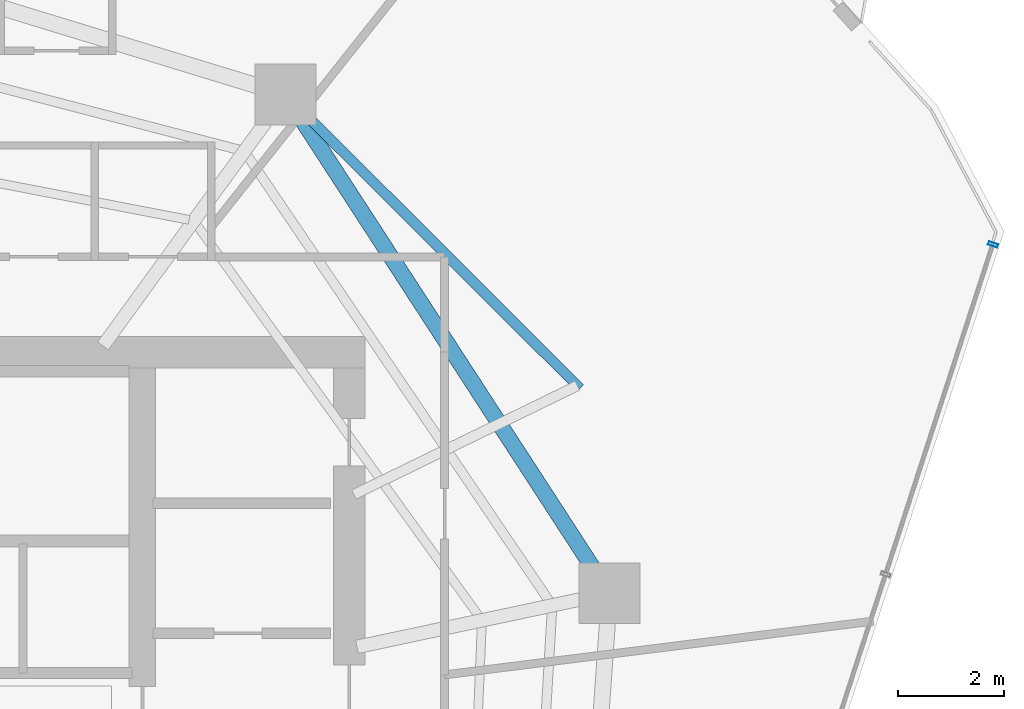
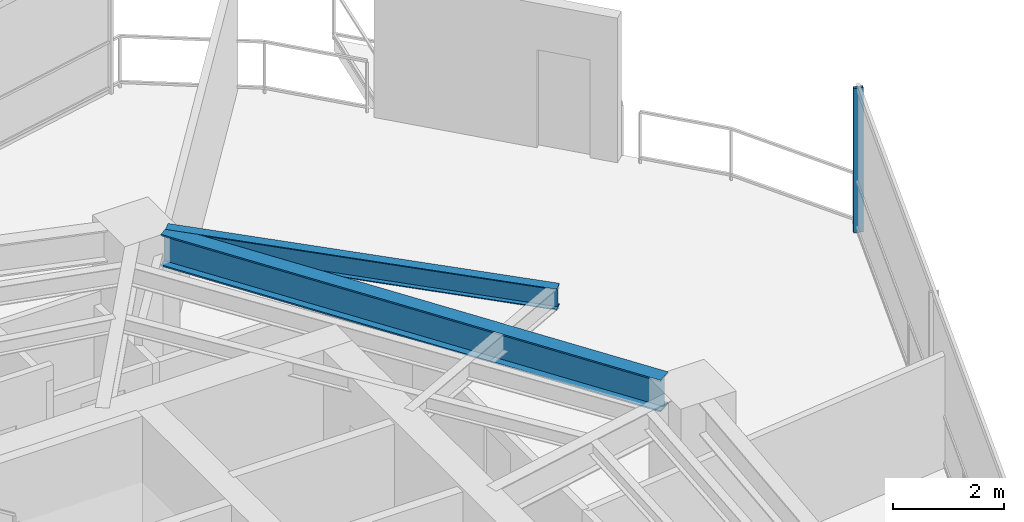
# One storey, part 20 of 27: 2 beams, 1 member, 1 element without a shape of its own.
"""IFC4 building model written with IfcOpenShell, lengths in metres."""

from ifc_helpers import new_model, si_unit, direction, frame, origin, origin_2d, place, context, subcontext, project, spatial, hollow_rectangle, i_section, extrude, material, layer, layer_set, material_profile, profile_set, type_object, element, aggregate, save


model = new_model("IFC4")

# Units and contexts
model_context = context("Model", 3, precision=1e-05, world=origin(), true_north=direction((0.0, 1.0)))
body_context = subcontext(model_context, "Body", "Model", "MODEL_VIEW")
ifc_project = project(units=[si_unit("LENGTHUNIT", "METRE"), si_unit("AREAUNIT", "SQUARE_METRE"), si_unit("VOLUMEUNIT", "CUBIC_METRE"), si_unit("PLANEANGLEUNIT", "RADIAN"), si_unit("MASSUNIT", "GRAM", prefix="KILO")], contexts=[model_context])

# Site, building, storey
site_placement = place(None, origin())
site = spatial("IfcSite", under=ifc_project, at=site_placement, CompositionType="ELEMENT")
building_placement = place(site_placement, origin())
building = spatial("IfcBuilding", under=site, at=building_placement, Name="Qarnah Convention Tower", CompositionType="ELEMENT")
storey_placement = place(building_placement, frame((0.0, 0.0, 110.85009765625)))
storey = spatial("IfcBuildingStorey", under=building, at=storey_placement, Name="L29", CompositionType="ELEMENT", Elevation=110.85009765625)

# Beams
ifc_material_1 = material(Name="Structural steel S355JR", Category="steel")
ifc_material_profile_1 = material_profile(ifc_material_1, i_section(OverallWidth=0.19189453125, OverallDepth=0.464111328125, WebThickness=0.010986328125, FlangeThickness=0.01806640625, at=origin_2d()), Name="W460X89")
ifc_profile_set_1 = profile_set([ifc_material_profile_1], Name="Structural steel S355JR")
beam_type_1 = type_object("IfcBeamType", Name="BM-CANT-W460A", PredefinedType="BEAM", material=ifc_profile_set_1)
beam_1_placement = place(storey_placement, frame((51.952880859375, 33.52099609375, 2.93798828125), z_axis=(-0.707978220507, 0.706234266577, 0.0), x_axis=(-0.706234266577, -0.707978220507, 0.0)))
element("IfcBeam", 1, at=beam_1_placement, inside=storey, type_object=beam_type_1, Name="L29 spandrel BM-L29-CTIE-01", PredefinedType="SPANDREL", context=body_context, shape_type="SweptSolid", body=[
    extrude(i_section(OverallWidth=0.19189453125, OverallDepth=0.464111328125, WebThickness=0.010986328125, FlangeThickness=0.01806640625, at=origin_2d()), origin(), (0.0, 0.0, 1.0), 7.279541015625),
])
ifc_material_profile_2 = material_profile(ifc_material_1, i_section(OverallWidth=0.300048828125, OverallDepth=0.699951171875, WebThickness=0.01708984375, FlangeThickness=0.031982421875, at=origin_2d()), Name="HEB700")
ifc_profile_set_2 = profile_set([ifc_material_profile_2], Name="Structural steel S355JR")
beam_type_2 = type_object("IfcBeamType", Name="BM-RING-HEB700", PredefinedType="BEAM", material=ifc_profile_set_2)
beam_2_placement = place(storey_placement, frame((52.199951171875, 30.1279296875, 2.81982421875), z_axis=(-0.544610528714, 0.838689079465, 0.0), x_axis=(-0.838689079465, -0.544610528714, 0.0)))
element("IfcBeam", 2, at=beam_2_placement, inside=storey, type_object=beam_type_2, Name="L29 beam BM-L29-SPN-01", PredefinedType="BEAM", context=body_context, shape_type="SweptSolid", body=[
    extrude(i_section(OverallWidth=0.300048828125, OverallDepth=0.699951171875, WebThickness=0.01708984375, FlangeThickness=0.031982421875, at=origin_2d()), origin(), (0.0, 0.0, 1.0), 10.0859375),
])

# Curtain wall, member
ifc_material_2 = material(Name="Tempered Low-E dark glass", Category="glass")
ifc_layer = layer(ifc_material_2, 0.169921875)
ifc_layer_set = layer_set([ifc_layer], Name="Tempered Low-E dark glass")
curtain_wall_type = type_object("IfcCurtainWallType", Name="CWS-02", PredefinedType="NOTDEFINED", material=ifc_layer_set)
curtain_wall_placement = place(storey_placement, origin())
curtain_wall = element("IfcCurtainWall", 3, at=curtain_wall_placement, inside=storey, type_object=curtain_wall_type, Name="L29 unitised curtain wall CW-L29-F2", PredefinedType="NOTDEFINED")
ifc_material_3 = material(Name="Black anodised aluminium", Category="aluminium")
ifc_material_profile_3 = material_profile(ifc_material_3, hollow_rectangle(XDim=0.06494140625, YDim=0.179931640625, WallThickness=0.00390625, at=origin_2d()), Name="MUL-65X180")
ifc_profile_set_3 = profile_set([ifc_material_profile_3], Name="Black anodised aluminium")
member_type = type_object("IfcMemberType", Name="MUL-T2", PredefinedType="MULLION", material=ifc_profile_set_3)
member_placement = place(storey_placement, frame((59.742919921875, 36.23193359375, 0.0), z_axis=(0.0, 0.0, 1.0), x_axis=(-0.309011433682, -0.951058323056, 0.0)))
member = element("IfcMember", 4, at=member_placement, type_object=member_type, Name="CW-L29-F2 mullion 1", PredefinedType="MULLION", context=body_context, shape_type="SweptSolid", body=[
    extrude(hollow_rectangle(XDim=0.06494140625, YDim=0.179931640625, WallThickness=0.00390625, at=origin_2d()), origin(), (0.0, 0.0, 1.0), 3.169921875),
])
aggregate(curtain_wall, [member])

save(model, "model.ifc")
